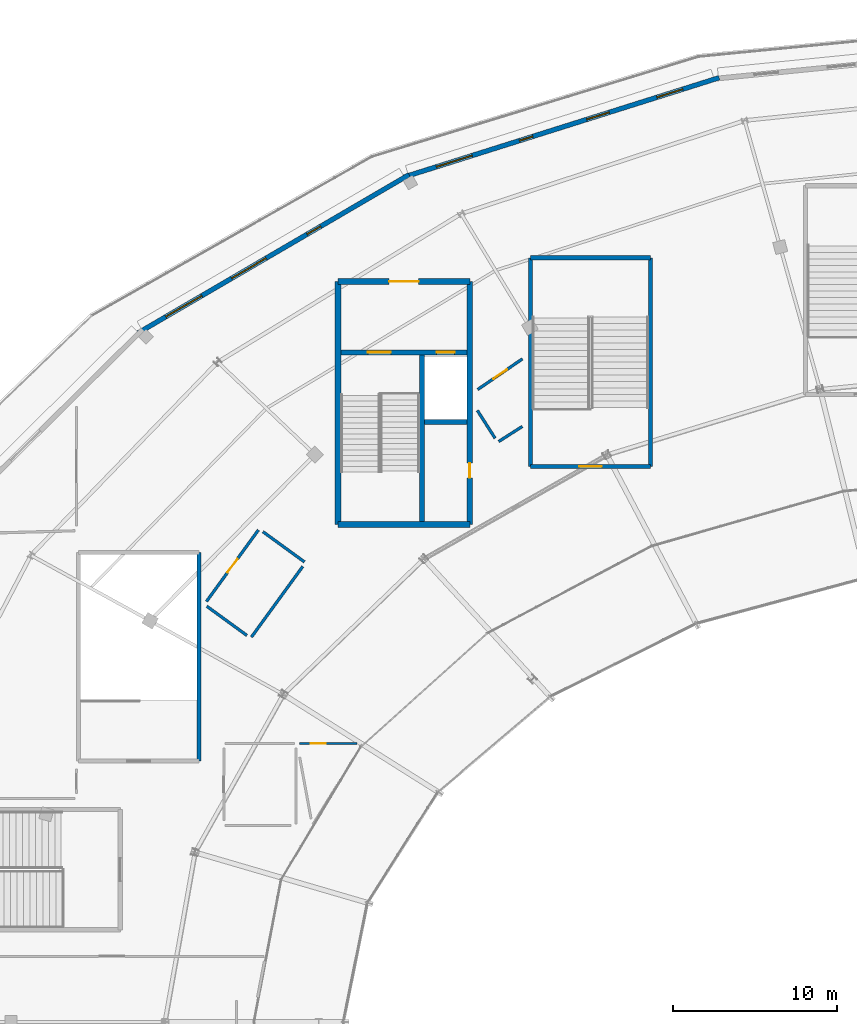
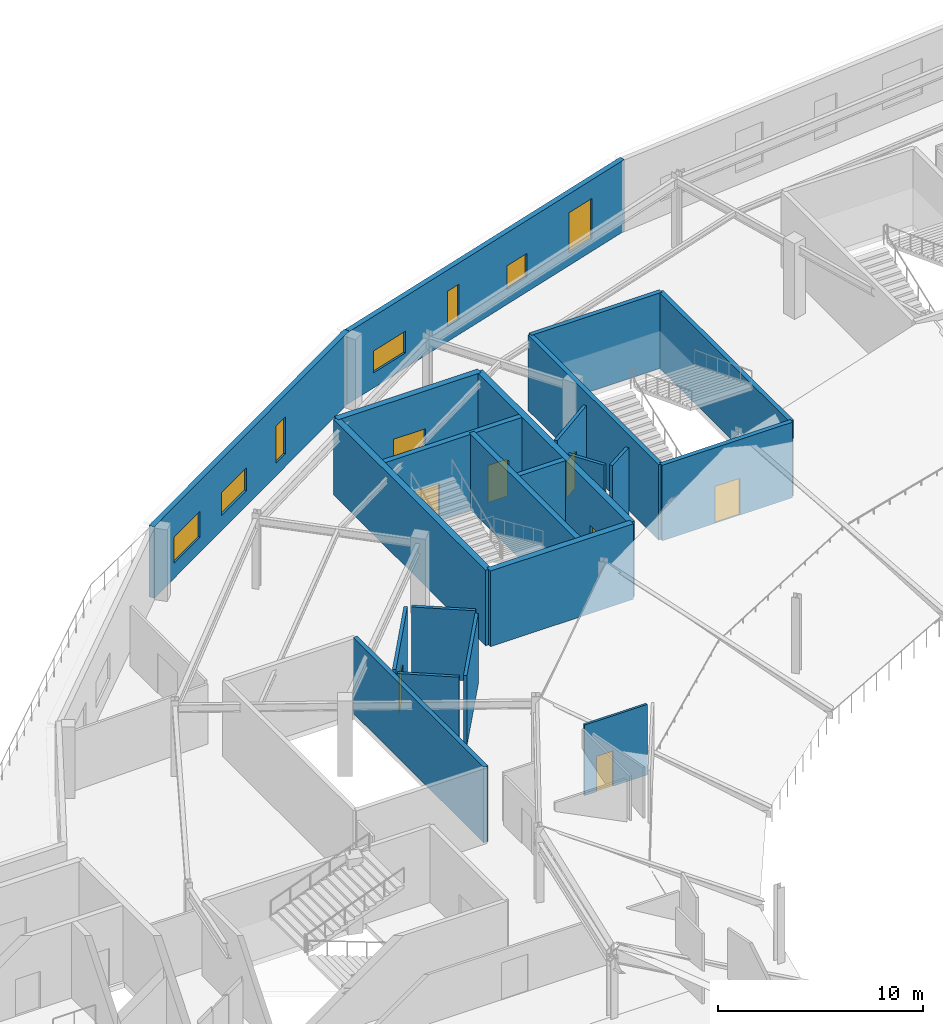
# One storey, part 37 of 63: 22 walls, 8 doors, 7 windows, 15 openings.
"""IFC4 building model written with IfcOpenShell, lengths in metres."""

from ifc_helpers import new_model, si_unit, direction, frame, frame_2d, origin, place, context, subcontext, project, spatial, rectangle, extrude, material, layer, layer_set, type_object, element, fill, save


model = new_model("IFC4")

# Units and contexts
model_context = context("Model", 3, precision=1e-05, world=origin(), true_north=direction((0.0, 1.0)))
body_context = subcontext(model_context, "Body", "Model", "MODEL_VIEW")
ifc_project = project(units=[si_unit("LENGTHUNIT", "METRE"), si_unit("AREAUNIT", "SQUARE_METRE"), si_unit("VOLUMEUNIT", "CUBIC_METRE"), si_unit("PLANEANGLEUNIT", "RADIAN"), si_unit("MASSUNIT", "GRAM", prefix="KILO")], contexts=[model_context])

# Site, building, storey
site_placement = place(None, origin())
site = spatial("IfcSite", under=ifc_project, at=site_placement, CompositionType="ELEMENT")
building_placement = place(site_placement, origin())
building = spatial("IfcBuilding", under=site, at=building_placement, Name="Kalgoora Escarpment Arena", CompositionType="ELEMENT")
storey_placement = place(building_placement, frame((0.0, 0.0, 14.39990234375)))
storey = spatial("IfcBuildingStorey", under=building, at=storey_placement, Name="L03", CompositionType="ELEMENT", Elevation=14.39990234375)

# Wall
ifc_material_1 = material(Name="Concrete N50 (fc' 50 MPa)", Category="concrete")
ifc_layer_1 = layer(ifc_material_1, 0.35009765625)
ifc_layer_set_1 = layer_set([ifc_layer_1], Name="WAL-CORE-350")
wall_type_1 = type_object("IfcWallType", Name="WAL-CORE-350", PredefinedType="SHEAR", material=ifc_layer_set_1)
wall_1_placement = place(storey_placement, frame((48.97509765625, 94.375, 0.0), z_axis=(0.0, 0.0, 1.0), x_axis=(1.0, 0.0, 0.0)))
element("IfcWall", 1, at=wall_1_placement, inside=storey, type_object=wall_type_1, Name="Core C3 L03 south shear wall", PredefinedType="SHEAR", context=body_context, shape_type="SweptSolid", body=[
    extrude(rectangle(XDim=8.0498046875, YDim=0.35009765625, at=frame_2d((4.02490234375, 0.0))), origin(), (0.0, 0.0, 1.0), 4.5),
])

# Wall, opening, door
wall_2_placement = place(storey_placement, frame((48.97509765625, 109.22509765625, 0.0), z_axis=(0.0, 0.0, 1.0), x_axis=(1.0, 0.0, 0.0)))
wall_2 = element("IfcWall", 2, at=wall_2_placement, inside=storey, type_object=wall_type_1, Name="Core C3 L03 north lobby wall", PredefinedType="SHEAR", context=body_context, shape_type="SweptSolid", body=[
    extrude(rectangle(XDim=8.0498046875, YDim=0.35009765625, at=frame_2d((4.02490234375, 0.0))), origin(), (0.0, 0.0, 1.0), 4.5),
])
opening_1_placement = place(wall_2_placement, frame((3.125, 0.0, 0.0)))
opening_1 = element("IfcOpeningElement", 3, at=opening_1_placement, cuts=wall_2, Name="Opening FD-C3L", PredefinedType="OPENING", context=body_context, shape_type="SweptSolid", body=[
    extrude(rectangle(XDim=1.800048828125, YDim=2.25, at=frame_2d((0.89990234375, 1.125))), frame((0.0, 0.18505859375, 0.0), z_axis=(0.0, -1.0, 0.0), x_axis=(1.0, 0.0, 0.0)), (0.0, 0.0, 1.0), 0.3701171875),
])
ifc_material_2 = material(Name="Double fire-rated smoke-seal lobby door")
door_type_1 = type_object("IfcDoorType", Name="DR-LOBBY-1800", OperationType="NOTDEFINED", PredefinedType="DOOR", material=ifc_material_2)
door_1_placement = place(opening_1_placement, origin())
door_1 = element("IfcDoor", 4, at=door_1_placement, inside=storey, type_object=door_type_1, Name="Core C3 L03 smoke-lobby fire door", OperationType="DOUBLE_DOOR_SINGLE_SWING", OverallHeight=2.25, OverallWidth=1.800048828125, PredefinedType="DOOR", context=body_context, shape_type="SweptSolid", body=[
    extrude(rectangle(XDim=1.800048828125, YDim=2.25, at=frame_2d((0.89990234375, 1.125))), frame((0.0, 0.02490234375, 0.0), z_axis=(0.0, -1.0, 0.0), x_axis=(1.0, 0.0, 0.0)), (0.0, 0.0, 1.0), 0.050048828125),
])
fill(opening_1, door_1)

# Wall
wall_3_placement = place(storey_placement, frame((48.97509765625, 94.375, 0.0), z_axis=(0.0, 0.0, 1.0), x_axis=(0.0, 1.0, 0.0)))
element("IfcWall", 5, at=wall_3_placement, inside=storey, type_object=wall_type_1, Name="Core C3 L03 west shear wall", PredefinedType="SHEAR", context=body_context, shape_type="SweptSolid", body=[
    extrude(rectangle(XDim=14.85009765625, YDim=0.35009765625, at=frame_2d((7.425048828125, 0.0))), origin(), (0.0, 0.0, 1.0), 4.5),
])

# Wall, opening, door
wall_4_placement = place(storey_placement, frame((57.02490234375, 94.375, 0.0), z_axis=(0.0, 0.0, 1.0), x_axis=(0.0, 1.0, 0.0)))
wall_4 = element("IfcWall", 6, at=wall_4_placement, inside=storey, type_object=wall_type_1, Name="Core C3 L03 east shear wall", PredefinedType="SHEAR", context=body_context, shape_type="SweptSolid", body=[
    extrude(rectangle(XDim=14.85009765625, YDim=0.35009765625, at=frame_2d((7.425048828125, 0.0))), origin(), (0.0, 0.0, 1.0), 4.5),
])
opening_2_placement = place(wall_4_placement, frame((2.85498046875, 0.0, 0.0)))
opening_2 = element("IfcOpeningElement", 7, at=opening_2_placement, cuts=wall_4, Name="Opening FD-C3R", PredefinedType="OPENING", context=body_context, shape_type="SweptSolid", body=[
    extrude(rectangle(XDim=0.89990234375, YDim=2.10009765625, at=frame_2d((0.449951171875, 1.050048828125))), frame((0.0, 0.18505859375, 0.0), z_axis=(0.0, -1.0, 0.0), x_axis=(1.0, 0.0, 0.0)), (0.0, 0.0, 1.0), 0.3701171875),
])
ifc_material_3 = material(Name="Fire-rated steel riser access door", Category="steel")
door_type_2 = type_object("IfcDoorType", Name="DR-RISER-0900", OperationType="NOTDEFINED", PredefinedType="DOOR", material=ifc_material_3)
door_2_placement = place(opening_2_placement, origin())
door_2 = element("IfcDoor", 8, at=door_2_placement, inside=storey, type_object=door_type_2, Name="Core C3 L03 riser cupboard access door", OperationType="SINGLE_SWING_RIGHT", OverallHeight=2.10009765625, OverallWidth=0.89990234375, PredefinedType="DOOR", context=body_context, shape_type="SweptSolid", body=[
    extrude(rectangle(XDim=0.89990234375, YDim=2.10009765625, at=frame_2d((0.449951171875, 1.050048828125))), frame((0.0, 0.02490234375, 0.0), z_axis=(0.0, -1.0, 0.0), x_axis=(1.0, 0.0, 0.0)), (0.0, 0.0, 1.0), 0.050048828125),
])
fill(opening_2, door_2)

# Wall, openings, windows
ifc_material_4 = material(Name="Upper concourse insulated spandrel wall 40 MPa", Category="concrete")
ifc_layer_2 = layer(ifc_material_4, 0.2900390625)
ifc_layer_set_2 = layer_set([ifc_layer_2], Name="WAL-EXT-290")
wall_type_2 = type_object("IfcWallType", Name="WAL-EXT-290", PredefinedType="SOLIDWALL", material=ifc_layer_set_2)
wall_5_placement = place(storey_placement, frame((36.749267578125, 106.074951171875, 0.0), z_axis=(0.0, 0.0, 1.0), x_axis=(0.863607623942, 0.504164528572, 0.0)))
wall_5 = element("IfcWall", 9, at=wall_5_placement, inside=storey, type_object=wall_type_2, Name="L03 limestone-faced external wall 057", PredefinedType="SOLIDWALL", context=body_context, shape_type="SweptSolid", body=[
    extrude(rectangle(XDim=19.185791015625, YDim=0.2900390625, at=frame_2d((9.5927734375, 0.0))), origin(), (0.0, 0.0, 1.0), 4.260009765625),
])
opening_3_placement = place(wall_5_placement, frame((1.97509765625, 0.0, 0.89990234375)))
opening_3 = element("IfcOpeningElement", 10, at=opening_3_placement, cuts=wall_5, Name="Opening W-13", PredefinedType="OPENING", context=body_context, shape_type="SweptSolid", body=[
    extrude(rectangle(XDim=2.550048828125, YDim=1.550048828125, at=frame_2d((1.27490234375, 0.77490234375))), frame((0.0, 0.155029296875, 0.0), z_axis=(0.0, -1.0, 0.0), x_axis=(1.0, 0.0, 0.0)), (0.0, 0.0, 1.0), 0.31005859375),
])
opening_4_placement = place(wall_5_placement, frame((6.625, 0.0, 0.89990234375)))
opening_4 = element("IfcOpeningElement", 11, at=opening_4_placement, cuts=wall_5, Name="Opening W-15", PredefinedType="OPENING", context=body_context, shape_type="SweptSolid", body=[
    extrude(rectangle(XDim=2.449951171875, YDim=1.35009765625, at=frame_2d((1.22509765625, 0.675048828125))), frame((0.0, 0.155029296875, 0.0), z_axis=(0.0, -1.0, 0.0), x_axis=(1.0, 0.0, 0.0)), (0.0, 0.0, 1.0), 0.31005859375),
])
opening_5_placement = place(wall_5_placement, frame((11.97509765625, 0.0, 0.75)))
opening_5 = element("IfcOpeningElement", 12, at=opening_5_placement, cuts=wall_5, Name="Opening W-17", PredefinedType="OPENING", context=body_context, shape_type="SweptSolid", body=[
    extrude(rectangle(XDim=0.949951171875, YDim=2.199951171875, at=frame_2d((0.47509765625, 1.10009765625))), frame((0.0, 0.155029296875, 0.0), z_axis=(0.0, -1.0, 0.0), x_axis=(1.0, 0.0, 0.0)), (0.0, 0.0, 1.0), 0.31005859375),
])
ifc_material_5 = material(Name="Low-E solar-control double glazing in champagne frame", Category="glass")
window_type_1 = type_object("IfcWindowType", Name="WIN-BAND-2550x1550", PartitioningType="SINGLE_PANEL", PredefinedType="WINDOW", material=ifc_material_5)
window_1_placement = place(opening_3_placement, origin())
window_1 = element("IfcWindow", 13, at=window_1_placement, inside=storey, type_object=window_type_1, Name="L03 scheduled facade window 073", OverallHeight=1.550048828125, OverallWidth=2.550048828125, PartitioningType="SINGLE_PANEL", PredefinedType="WINDOW", context=body_context, shape_type="SweptSolid", body=[
    extrude(rectangle(XDim=2.550048828125, YDim=1.550048828125, at=frame_2d((1.27490234375, 0.77490234375))), frame((0.0, 0.030029296875, 0.0), z_axis=(0.0, -1.0, 0.0), x_axis=(1.0, 0.0, 0.0)), (0.0, 0.0, 1.0), 0.06005859375),
])
fill(opening_3, window_1)
ifc_material_6 = material(Name="Low-E solar-control double glazing in champagne frame", Category="glass")
window_type_2 = type_object("IfcWindowType", Name="WIN-CLER-2450x1350", PartitioningType="SINGLE_PANEL", PredefinedType="WINDOW", material=ifc_material_6)
window_2_placement = place(opening_4_placement, origin())
window_2 = element("IfcWindow", 14, at=window_2_placement, inside=storey, type_object=window_type_2, Name="L03 scheduled facade window 074", OverallHeight=1.35009765625, OverallWidth=2.449951171875, PartitioningType="SINGLE_PANEL", PredefinedType="WINDOW", context=body_context, shape_type="SweptSolid", body=[
    extrude(rectangle(XDim=2.449951171875, YDim=1.35009765625, at=frame_2d((1.22509765625, 0.675048828125))), frame((0.0, 0.030029296875, 0.0), z_axis=(0.0, -1.0, 0.0), x_axis=(1.0, 0.0, 0.0)), (0.0, 0.0, 1.0), 0.06005859375),
])
fill(opening_4, window_2)
ifc_material_7 = material(Name="Low-E solar-control double glazing in champagne frame", Category="glass")
window_type_3 = type_object("IfcWindowType", Name="WIN-SLOT-0950x2200", PartitioningType="SINGLE_PANEL", PredefinedType="WINDOW", material=ifc_material_7)
window_3_placement = place(opening_5_placement, origin())
window_3 = element("IfcWindow", 15, at=window_3_placement, inside=storey, type_object=window_type_3, Name="L03 scheduled facade window 075", OverallHeight=2.199951171875, OverallWidth=0.949951171875, PartitioningType="SINGLE_PANEL", PredefinedType="WINDOW", context=body_context, shape_type="SweptSolid", body=[
    extrude(rectangle(XDim=0.949951171875, YDim=2.199951171875, at=frame_2d((0.47509765625, 1.10009765625))), frame((0.0, 0.030029296875, 0.0), z_axis=(0.0, -1.0, 0.0), x_axis=(1.0, 0.0, 0.0)), (0.0, 0.0, 1.0), 0.06005859375),
])
fill(opening_5, window_3)

wall_6_placement = place(storey_placement, frame((52.983154296875, 115.599365234375, 0.0), z_axis=(0.0, 0.0, 1.0), x_axis=(0.953756113153, 0.30058156401, 0.0)))
wall_6 = element("IfcWall", 16, at=wall_6_placement, inside=storey, type_object=wall_type_2, Name="L03 limestone-faced external wall 058", PredefinedType="SOLIDWALL", context=body_context, shape_type="SweptSolid", body=[
    extrude(rectangle(XDim=20.21240234375, YDim=0.2900390625, at=frame_2d((10.106201171875, 0.0))), origin(), (0.0, 0.0, 1.0), 4.260009765625),
])
opening_6_placement = place(wall_6_placement, frame((2.10009765625, 0.0, 0.89990234375)))
opening_6 = element("IfcOpeningElement", 17, at=opening_6_placement, cuts=wall_6, Name="Opening W-16", PredefinedType="OPENING", context=body_context, shape_type="SweptSolid", body=[
    extrude(rectangle(XDim=2.300048828125, YDim=1.300048828125, at=frame_2d((1.14990234375, 0.64990234375))), frame((0.0, 0.155029296875, 0.0), z_axis=(0.0, -1.0, 0.0), x_axis=(1.0, 0.0, 0.0)), (0.0, 0.0, 1.0), 0.31005859375),
])
opening_7_placement = place(wall_6_placement, frame((7.425048828125, 0.0, 0.89990234375)))
opening_7 = element("IfcOpeningElement", 18, at=opening_7_placement, cuts=wall_6, Name="Opening W-18", PredefinedType="OPENING", context=body_context, shape_type="SweptSolid", body=[
    extrude(rectangle(XDim=0.85009765625, YDim=2.10009765625, at=frame_2d((0.425048828125, 1.050048828125))), frame((0.0, 0.155029296875, 0.0), z_axis=(0.0, -1.0, 0.0), x_axis=(1.0, 0.0, 0.0)), (0.0, 0.0, 1.0), 0.31005859375),
])
opening_8_placement = place(wall_6_placement, frame((11.72509765625, 0.0, 0.89990234375)))
opening_8 = element("IfcOpeningElement", 19, at=opening_8_placement, cuts=wall_6, Name="Opening W-20", PredefinedType="OPENING", context=body_context, shape_type="SweptSolid", body=[
    extrude(rectangle(XDim=1.449951171875, YDim=1.39990234375, at=frame_2d((0.72509765625, 0.699951171875))), frame((0.0, 0.155029296875, 0.0), z_axis=(0.0, -1.0, 0.0), x_axis=(1.0, 0.0, 0.0)), (0.0, 0.0, 1.0), 0.31005859375),
])
opening_9_placement = place(wall_6_placement, frame((16.22509765625, 0.0, 0.75)))
opening_9 = element("IfcOpeningElement", 20, at=opening_9_placement, cuts=wall_6, Name="Opening W-02", PredefinedType="OPENING", context=body_context, shape_type="SweptSolid", body=[
    extrude(rectangle(XDim=1.64990234375, YDim=2.39990234375, at=frame_2d((0.824951171875, 1.199951171875))), frame((0.0, 0.155029296875, 0.0), z_axis=(0.0, -1.0, 0.0), x_axis=(1.0, 0.0, 0.0)), (0.0, 0.0, 1.0), 0.31005859375),
])
ifc_material_8 = material(Name="Low-E solar-control double glazing in champagne frame", Category="glass")
window_type_4 = type_object("IfcWindowType", Name="WIN-BOH-1450x1400", PartitioningType="SINGLE_PANEL", PredefinedType="WINDOW", material=ifc_material_8)
window_4_placement = place(opening_8_placement, origin())
window_4 = element("IfcWindow", 21, at=window_4_placement, inside=storey, type_object=window_type_4, Name="L03 scheduled facade window 078", OverallHeight=1.39990234375, OverallWidth=1.449951171875, PartitioningType="SINGLE_PANEL", PredefinedType="WINDOW", context=body_context, shape_type="SweptSolid", body=[
    extrude(rectangle(XDim=1.449951171875, YDim=1.39990234375, at=frame_2d((0.72509765625, 0.699951171875))), frame((0.0, 0.030029296875, 0.0), z_axis=(0.0, -1.0, 0.0), x_axis=(1.0, 0.0, 0.0)), (0.0, 0.0, 1.0), 0.06005859375),
])
fill(opening_8, window_4)
ifc_material_9 = material(Name="Low-E solar-control double glazing in champagne frame", Category="glass")
window_type_5 = type_object("IfcWindowType", Name="WIN-CLER-2300x1300", PartitioningType="SINGLE_PANEL", PredefinedType="WINDOW", material=ifc_material_9)
window_5_placement = place(opening_6_placement, origin())
window_5 = element("IfcWindow", 22, at=window_5_placement, inside=storey, type_object=window_type_5, Name="L03 scheduled facade window 076", OverallHeight=1.300048828125, OverallWidth=2.300048828125, PartitioningType="SINGLE_PANEL", PredefinedType="WINDOW", context=body_context, shape_type="SweptSolid", body=[
    extrude(rectangle(XDim=2.300048828125, YDim=1.300048828125, at=frame_2d((1.14990234375, 0.64990234375))), frame((0.0, 0.030029296875, 0.0), z_axis=(0.0, -1.0, 0.0), x_axis=(1.0, 0.0, 0.0)), (0.0, 0.0, 1.0), 0.06005859375),
])
fill(opening_6, window_5)
ifc_material_10 = material(Name="Low-E solar-control double glazing in champagne frame", Category="glass")
window_type_6 = type_object("IfcWindowType", Name="WIN-DECO-1650x2400", PartitioningType="SINGLE_PANEL", PredefinedType="WINDOW", material=ifc_material_10)
window_6_placement = place(opening_9_placement, origin())
window_6 = element("IfcWindow", 23, at=window_6_placement, inside=storey, type_object=window_type_6, Name="L03 scheduled facade window 079", OverallHeight=2.39990234375, OverallWidth=1.64990234375, PartitioningType="SINGLE_PANEL", PredefinedType="WINDOW", context=body_context, shape_type="SweptSolid", body=[
    extrude(rectangle(XDim=1.64990234375, YDim=2.39990234375, at=frame_2d((0.824951171875, 1.199951171875))), frame((0.0, 0.030029296875, 0.0), z_axis=(0.0, -1.0, 0.0), x_axis=(1.0, 0.0, 0.0)), (0.0, 0.0, 1.0), 0.06005859375),
])
fill(opening_9, window_6)
ifc_material_11 = material(Name="Low-E solar-control double glazing in champagne frame", Category="glass")
window_type_7 = type_object("IfcWindowType", Name="WIN-SLOT-0850x2100", PartitioningType="SINGLE_PANEL", PredefinedType="WINDOW", material=ifc_material_11)
window_7_placement = place(opening_7_placement, origin())
window_7 = element("IfcWindow", 24, at=window_7_placement, inside=storey, type_object=window_type_7, Name="L03 scheduled facade window 077", OverallHeight=2.10009765625, OverallWidth=0.85009765625, PartitioningType="SINGLE_PANEL", PredefinedType="WINDOW", context=body_context, shape_type="SweptSolid", body=[
    extrude(rectangle(XDim=0.85009765625, YDim=2.10009765625, at=frame_2d((0.425048828125, 1.050048828125))), frame((0.0, 0.030029296875, 0.0), z_axis=(0.0, -1.0, 0.0), x_axis=(1.0, 0.0, 0.0)), (0.0, 0.0, 1.0), 0.06005859375),
])
fill(opening_7, window_7)

# Wall, openings, doors
ifc_material_12 = material(Name="Concrete N50 (fc' 50 MPa)", Category="concrete")
ifc_layer_3 = layer(ifc_material_12, 0.300048828125)
ifc_layer_set_3 = layer_set([ifc_layer_3], Name="WAL-SHAFT-300")
wall_type_3 = type_object("IfcWallType", Name="WAL-SHAFT-300", PredefinedType="SHEAR", material=ifc_layer_set_3)
wall_7_placement = place(storey_placement, frame((49.14990234375, 104.89990234375, 0.0), z_axis=(0.0, 0.0, 1.0), x_axis=(1.0, 0.0, 0.0)))
wall_7 = element("IfcWall", 25, at=wall_7_placement, inside=storey, type_object=wall_type_3, Name="Core C3 L03 lobby shaft wall", PredefinedType="SHEAR", context=body_context, shape_type="SweptSolid", body=[
    extrude(rectangle(XDim=7.7001953125, YDim=0.300048828125, at=frame_2d((3.85009765625, 0.0))), origin(), (0.0, 0.0, 1.0), 4.5),
])
opening_10_placement = place(wall_7_placement, frame((1.64990234375, 0.0, 0.0)))
opening_10 = element("IfcOpeningElement", 26, at=opening_10_placement, cuts=wall_7, Name="Opening FD-ST03", PredefinedType="OPENING", context=body_context, shape_type="SweptSolid", body=[
    extrude(rectangle(XDim=1.39990234375, YDim=2.199951171875, at=frame_2d((0.699951171875, 1.10009765625))), frame((0.0, 0.159912109375, 0.0), z_axis=(0.0, -1.0, 0.0), x_axis=(1.0, 0.0, 0.0)), (0.0, 0.0, 1.0), 0.320068359375),
])
opening_11_placement = place(wall_7_placement, frame((5.85009765625, 0.0, 0.0)))
opening_11 = element("IfcOpeningElement", 27, at=opening_11_placement, cuts=wall_7, Name="Opening LD-PL1", PredefinedType="OPENING", context=body_context, shape_type="SweptSolid", body=[
    extrude(rectangle(XDim=1.10009765625, YDim=2.199951171875, at=frame_2d((0.550048828125, 1.10009765625))), frame((0.0, 0.159912109375, 0.0), z_axis=(0.0, -1.0, 0.0), x_axis=(1.0, 0.0, 0.0)), (0.0, 0.0, 1.0), 0.320068359375),
])
ifc_material_13 = material(Name="Brushed stainless steel sliding lift landing door", Category="steel")
door_type_3 = type_object("IfcDoorType", Name="DR-LD-PL1", OperationType="SLIDING_TO_LEFT", PredefinedType="DOOR", material=ifc_material_13)
door_3_placement = place(opening_11_placement, origin())
door_3 = element("IfcDoor", 28, at=door_3_placement, inside=storey, type_object=door_type_3, Name="Lift PL1 L03 sliding landing door", OperationType="SLIDING_TO_LEFT", OverallHeight=2.199951171875, OverallWidth=1.10009765625, PredefinedType="DOOR", context=body_context, shape_type="SweptSolid", body=[
    extrude(rectangle(XDim=1.10009765625, YDim=2.199951171875, at=frame_2d((0.550048828125, 1.10009765625))), frame((0.0, 0.02490234375, 0.0), z_axis=(0.0, -1.0, 0.0), x_axis=(1.0, 0.0, 0.0)), (0.0, 0.0, 1.0), 0.050048828125),
])
fill(opening_11, door_3)
ifc_material_14 = material(Name="Fire-rated steel stair leaf with vision panel", Category="steel")
door_type_4 = type_object("IfcDoorType", Name="DR-STAIR-1400", OperationType="NOTDEFINED", PredefinedType="DOOR", material=ifc_material_14)
door_4_placement = place(opening_10_placement, origin())
door_4 = element("IfcDoor", 29, at=door_4_placement, inside=storey, type_object=door_type_4, Name="Fire stair ST03 L03 fire door", OperationType="SINGLE_SWING_LEFT", OverallHeight=2.199951171875, OverallWidth=1.39990234375, PredefinedType="DOOR", context=body_context, shape_type="SweptSolid", body=[
    extrude(rectangle(XDim=1.39990234375, YDim=2.199951171875, at=frame_2d((0.699951171875, 1.10009765625))), frame((0.0, 0.02490234375, 0.0), z_axis=(0.0, -1.0, 0.0), x_axis=(1.0, 0.0, 0.0)), (0.0, 0.0, 1.0), 0.050048828125),
])
fill(opening_10, door_4)

# Walls
wall_8_placement = place(storey_placement, frame((54.10009765625, 94.550048828125, 0.0), z_axis=(0.0, 0.0, 1.0), x_axis=(0.0, 1.0, 0.0)))
element("IfcWall", 30, at=wall_8_placement, inside=storey, type_object=wall_type_3, Name="Core C3 L03 stair-lift spine wall", PredefinedType="SHEAR", context=body_context, shape_type="SweptSolid", body=[
    extrude(rectangle(XDim=10.349853515625, YDim=0.300048828125, at=frame_2d((5.1748046875, 0.0))), origin(), (0.0, 0.0, 1.0), 4.5),
])
wall_9_placement = place(storey_placement, frame((54.25, 100.64990234375, 0.0), z_axis=(0.0, 0.0, 1.0), x_axis=(1.0, 0.0, 0.0)))
element("IfcWall", 31, at=wall_9_placement, inside=storey, type_object=wall_type_3, Name="Core C3 L03 lift-riser divider wall", PredefinedType="SHEAR", context=body_context, shape_type="SweptSolid", body=[
    extrude(rectangle(XDim=2.60009765625, YDim=0.300048828125, at=frame_2d((1.300048828125, 0.0))), origin(), (0.0, 0.0, 1.0), 4.5),
])

# Wall, opening, door
ifc_material_15 = material(Name="Concrete N50 (fc' 50 MPa)", Category="concrete")
ifc_layer_4 = layer(ifc_material_15, 0.25)
ifc_layer_set_4 = layer_set([ifc_layer_4], Name="WAL-STAIR-250")
wall_type_4 = type_object("IfcWallType", Name="WAL-STAIR-250", PredefinedType="SHEAR", material=ifc_layer_set_4)
wall_10_placement = place(storey_placement, frame((60.72509765625, 97.925048828125, 0.0), z_axis=(0.0, 0.0, 1.0), x_axis=(1.0, 0.0, 0.0)))
wall_10 = element("IfcWall", 32, at=wall_10_placement, inside=storey, type_object=wall_type_4, Name="Exit stair ST09 L03 south wall", PredefinedType="SHEAR", context=body_context, shape_type="SweptSolid", body=[
    extrude(rectangle(XDim=7.349853515625, YDim=0.25, at=frame_2d((3.6748046875, 0.0))), origin(), (0.0, 0.0, 1.0), 4.5),
])
opening_12_placement = place(wall_10_placement, frame((2.97509765625, 0.0, 0.0)))
opening_12 = element("IfcOpeningElement", 33, at=opening_12_placement, cuts=wall_10, Name="Opening FD-ST09", PredefinedType="OPENING", context=body_context, shape_type="SweptSolid", body=[
    extrude(rectangle(XDim=1.39990234375, YDim=2.199951171875, at=frame_2d((0.699951171875, 1.10009765625))), frame((0.0, 0.135009765625, 0.0), z_axis=(0.0, -1.0, 0.0), x_axis=(1.0, 0.0, 0.0)), (0.0, 0.0, 1.0), 0.27001953125),
])
door_5_placement = place(opening_12_placement, origin())
door_5 = element("IfcDoor", 34, at=door_5_placement, inside=storey, type_object=door_type_4, Name="Fire-isolated stair ST09 L03 egress door", OperationType="SINGLE_SWING_RIGHT", OverallHeight=2.199951171875, OverallWidth=1.39990234375, PredefinedType="DOOR", context=body_context, shape_type="SweptSolid", body=[
    extrude(rectangle(XDim=1.39990234375, YDim=2.199951171875, at=frame_2d((0.699951171875, 1.10009765625))), frame((0.0, 0.02490234375, 0.0), z_axis=(0.0, -1.0, 0.0), x_axis=(1.0, 0.0, 0.0)), (0.0, 0.0, 1.0), 0.050048828125),
])
fill(opening_12, door_5)

# Walls
wall_11_placement = place(storey_placement, frame((60.72509765625, 110.675048828125, 0.0), z_axis=(0.0, 0.0, 1.0), x_axis=(1.0, 0.0, 0.0)))
element("IfcWall", 35, at=wall_11_placement, inside=storey, type_object=wall_type_4, Name="Exit stair ST09 L03 north wall", PredefinedType="SHEAR", context=body_context, shape_type="SweptSolid", body=[
    extrude(rectangle(XDim=7.349853515625, YDim=0.25, at=frame_2d((3.6748046875, 0.0))), origin(), (0.0, 0.0, 1.0), 4.5),
])
for number, where, z_axis, x_axis, name in (
    (36, (60.72509765625, 97.925048828125, 0.0), (0.0, 0.0, 1.0), (0.0, 1.0, 0.0), "Exit stair ST09 L03 west wall"),
    (37, (68.074951171875, 97.925048828125, 0.0), (0.0, 0.0, 1.0), (0.0, 1.0, 0.0), "Exit stair ST09 L03 east wall"),
    (38, (40.47509765625, 79.925048828125, 0.0), (0.0, 0.0, 1.0), (0.0, 1.0, 0.0), "Exit stair ST19 L03 east wall"),
):
    element("IfcWall", number, at=place(storey_placement, frame(where, z_axis=z_axis, x_axis=x_axis)), inside=storey, type_object=wall_type_4, Name=name, PredefinedType="SHEAR", context=body_context, shape_type="SweptSolid", body=[
        extrude(rectangle(XDim=12.75, YDim=0.25, at=frame_2d((6.375, 0.0))), origin(), (0.0, 0.0, 1.0), 4.5),
    ])

# Wall, opening, door
ifc_material_16 = material(Name="Twin-stud acoustic plasterboard FRL -/60/60", Category="gypsum")
ifc_layer_5 = layer(ifc_material_16, 0.175048828125)
ifc_layer_set_5 = layer_set([ifc_layer_5], Name="WAL-SUITE-175")
wall_type_5 = type_object("IfcWallType", Name="WAL-SUITE-175", PredefinedType="PARTITIONING", material=ifc_layer_set_5)
wall_12_placement = place(storey_placement, frame((57.510986328125, 102.626220703125, 0.0), z_axis=(0.0, 0.0, 1.0), x_axis=(0.82466590382, 0.565620143805, 0.0)))
wall_12 = element("IfcWall", 39, at=wall_12_placement, inside=storey, type_object=wall_type_5, Name="L03 Hospitality Suite HS28 partition wall", PredefinedType="PARTITIONING", context=body_context, shape_type="SweptSolid", body=[
    extrude(rectangle(XDim=3.30810546875, YDim=0.175048828125, at=frame_2d((1.654052734375, 0.0))), origin(), (0.0, 0.0, 1.0), 4.190185546875),
])
opening_13_placement = place(wall_12_placement, frame((1.154052734375, 0.0, 0.0)))
opening_13 = element("IfcOpeningElement", 40, at=opening_13_placement, cuts=wall_12, Name="Opening FD-I111", PredefinedType="OPENING", context=body_context, shape_type="SweptSolid", body=[
    extrude(rectangle(XDim=1.0, YDim=2.199951171875, at=frame_2d((0.5, 1.10009765625))), frame((0.0, 0.097412109375, 0.0), z_axis=(0.0, -1.0, 0.0), x_axis=(1.0, 0.0, 0.0)), (0.0, 0.0, 1.0), 0.195068359375),
])
ifc_material_17 = material(Name="Veneered timber acoustic suite entrance door", Category="wood")
door_type_5 = type_object("IfcDoorType", Name="DR-SUITE-1000", OperationType="NOTDEFINED", PredefinedType="DOOR", material=ifc_material_17)
door_6_placement = place(opening_13_placement, origin())
door_6 = element("IfcDoor", 41, at=door_6_placement, inside=storey, type_object=door_type_5, Name="Hospitality Suite HS28 entrance door", OperationType="SINGLE_SWING_LEFT", OverallHeight=2.199951171875, OverallWidth=1.0, PredefinedType="DOOR", context=body_context, shape_type="SweptSolid", body=[
    extrude(rectangle(XDim=1.0, YDim=2.199951171875, at=frame_2d((0.5, 1.10009765625))), frame((0.0, 0.02490234375, 0.0), z_axis=(0.0, -1.0, 0.0), x_axis=(1.0, 0.0, 0.0)), (0.0, 0.0, 1.0), 0.050048828125),
])
fill(opening_13, door_6)

# Walls
wall_13_placement = place(storey_placement, frame((60.237548828125, 100.37255859375, 0.0), z_axis=(0.0, 0.0, 1.0), x_axis=(-0.843362039347, -0.537345764465, 0.0)))
element("IfcWall", 42, at=wall_13_placement, inside=storey, type_object=wall_type_5, Name="L03 Hospitality Suite HS28 partition wall", PredefinedType="PARTITIONING", context=body_context, shape_type="SweptSolid", body=[
    extrude(rectangle(XDim=1.712890625, YDim=0.175048828125, at=frame_2d((0.8564453125, 0.0))), origin(), (0.0, 0.0, 1.0), 4.190185546875),
])
wall_14_placement = place(storey_placement, frame((58.572509765625, 99.6494140625, 0.0), z_axis=(0.0, 0.0, 1.0), x_axis=(-0.537274578012, 0.843407391373, 0.0)))
element("IfcWall", 43, at=wall_14_placement, inside=storey, type_object=wall_type_5, Name="L03 Hospitality Suite HS28 partition wall", PredefinedType="PARTITIONING", context=body_context, shape_type="SweptSolid", body=[
    extrude(rectangle(XDim=2.0185546875, YDim=0.175048828125, at=frame_2d((1.00927734375, 0.0))), origin(), (0.0, 0.0, 1.0), 4.190185546875),
])

# Wall, opening, door
wall_15_placement = place(storey_placement, frame((40.94189453125, 89.680419921875, 0.0), z_axis=(0.0, 0.0, 1.0), x_axis=(0.587805549797, 0.809002246986, 0.0)))
wall_15 = element("IfcWall", 44, at=wall_15_placement, inside=storey, type_object=wall_type_5, Name="L03 Hospitality Suite HS29 partition wall", PredefinedType="PARTITIONING", context=body_context, shape_type="SweptSolid", body=[
    extrude(rectangle(XDim=5.392822265625, YDim=0.175048828125, at=frame_2d((2.6962890625, 0.0))), origin(), (0.0, 0.0, 1.0), 4.190185546875),
])
opening_14_placement = place(wall_15_placement, frame((2.17138671875, 0.0, 0.0)))
opening_14 = element("IfcOpeningElement", 45, at=opening_14_placement, cuts=wall_15, Name="Opening FD-I112", PredefinedType="OPENING", context=body_context, shape_type="SweptSolid", body=[
    extrude(rectangle(XDim=1.050048828125, YDim=2.25, at=frame_2d((0.52490234375, 1.125))), frame((0.0, 0.097412109375, 0.0), z_axis=(0.0, -1.0, 0.0), x_axis=(1.0, 0.0, 0.0)), (0.0, 0.0, 1.0), 0.195068359375),
])
ifc_material_18 = material(Name="Veneered timber acoustic suite entrance door", Category="wood")
door_type_6 = type_object("IfcDoorType", Name="DR-SUITE-1050", OperationType="NOTDEFINED", PredefinedType="DOOR", material=ifc_material_18)
door_7_placement = place(opening_14_placement, origin())
door_7 = element("IfcDoor", 46, at=door_7_placement, inside=storey, type_object=door_type_6, Name="Hospitality Suite HS29 entrance door", OperationType="SINGLE_SWING_RIGHT", OverallHeight=2.25, OverallWidth=1.050048828125, PredefinedType="DOOR", context=body_context, shape_type="SweptSolid", body=[
    extrude(rectangle(XDim=1.050048828125, YDim=2.25, at=frame_2d((0.52490234375, 1.125))), frame((0.0, 0.02490234375, 0.0), z_axis=(0.0, -1.0, 0.0), x_axis=(1.0, 0.0, 0.0)), (0.0, 0.0, 1.0), 0.050048828125),
])
fill(opening_14, door_7)

# Walls
wall_16_placement = place(storey_placement, frame((44.38916015625, 93.9404296875, 0.0), z_axis=(0.0, 0.0, 1.0), x_axis=(0.809045759439, -0.587745658541, 0.0)))
element("IfcWall", 47, at=wall_16_placement, inside=storey, type_object=wall_type_5, Name="L03 Hospitality Suite HS29 partition wall", PredefinedType="PARTITIONING", context=body_context, shape_type="SweptSolid", body=[
    extrude(rectangle(XDim=3.13525390625, YDim=0.175048828125, at=frame_2d((1.567626953125, 0.0))), origin(), (0.0, 0.0, 1.0), 4.190185546875),
])
wall_17_placement = place(storey_placement, frame((46.822998046875, 91.8203125, 0.0), z_axis=(0.0, 0.0, 1.0), x_axis=(-0.587777109059, -0.809022910718, 0.0)))
element("IfcWall", 48, at=wall_17_placement, inside=storey, type_object=wall_type_5, Name="L03 Hospitality Suite HS29 partition wall", PredefinedType="PARTITIONING", context=body_context, shape_type="SweptSolid", body=[
    extrude(rectangle(XDim=5.33544921875, YDim=0.175048828125, at=frame_2d((2.667724609375, 0.0))), origin(), (0.0, 0.0, 1.0), 4.190185546875),
])
wall_18_placement = place(storey_placement, frame((43.40966796875, 87.606689453125, 0.0), z_axis=(0.0, 0.0, 1.0), x_axis=(-0.809011407489, 0.587792941904, 0.0)))
element("IfcWall", 49, at=wall_18_placement, inside=storey, type_object=wall_type_5, Name="L03 Hospitality Suite HS29 partition wall", PredefinedType="PARTITIONING", context=body_context, shape_type="SweptSolid", body=[
    extrude(rectangle(XDim=3.0283203125, YDim=0.175048828125, at=frame_2d((1.51416015625, 0.0))), origin(), (0.0, 0.0, 1.0), 4.190185546875),
])

# Wall, opening, door
ifc_material_19 = material(Name="Moisture-resistant wet-area partition", Category="gypsum")
ifc_layer_6 = layer(ifc_material_19, 0.125)
ifc_layer_set_6 = layer_set([ifc_layer_6], Name="WAL-WC-125")
wall_type_6 = type_object("IfcWallType", Name="WAL-WC-125", PredefinedType="PARTITIONING", material=ifc_layer_set_6)
wall_19_placement = place(storey_placement, frame((46.6201171875, 81.0, 0.0), z_axis=(0.0, 0.0, 1.0), x_axis=(1.0, 0.0, 0.0)))
wall_19 = element("IfcWall", 50, at=wall_19_placement, inside=storey, type_object=wall_type_6, Name="L03 Female WC 1 partition wall", PredefinedType="PARTITIONING", context=body_context, shape_type="SweptSolid", body=[
    extrude(rectangle(XDim=3.5302734375, YDim=0.125, at=frame_2d((1.76513671875, 0.0))), origin(), (0.0, 0.0, 1.0), 4.2001953125),
])
opening_15_placement = place(wall_19_placement, frame((0.6787109375, 0.0, 0.0)))
opening_15 = element("IfcOpeningElement", 51, at=opening_15_placement, cuts=wall_19, Name="Opening D-I107", PredefinedType="OPENING", context=body_context, shape_type="SweptSolid", body=[
    extrude(rectangle(XDim=0.919921875, YDim=2.10009765625, at=frame_2d((0.4599609375, 1.050048828125))), frame((0.0, 0.072509765625, 0.0), z_axis=(0.0, -1.0, 0.0), x_axis=(1.0, 0.0, 0.0)), (0.0, 0.0, 1.0), 0.14501953125),
])
ifc_material_20 = material(Name="Moisture-resistant laminate WC door")
door_type_7 = type_object("IfcDoorType", Name="DR-WC-0920", OperationType="NOTDEFINED", PredefinedType="DOOR", material=ifc_material_20)
door_8_placement = place(opening_15_placement, origin())
door_8 = element("IfcDoor", 52, at=door_8_placement, inside=storey, type_object=door_type_7, Name="Female WC 1 entrance door", OperationType="SINGLE_SWING_LEFT", OverallHeight=2.10009765625, OverallWidth=0.919921875, PredefinedType="DOOR", context=body_context, shape_type="SweptSolid", body=[
    extrude(rectangle(XDim=0.919921875, YDim=2.10009765625, at=frame_2d((0.4599609375, 1.050048828125))), frame((0.0, 0.02490234375, 0.0), z_axis=(0.0, -1.0, 0.0), x_axis=(1.0, 0.0, 0.0)), (0.0, 0.0, 1.0), 0.050048828125),
])
fill(opening_15, door_8)

save(model, "model.ifc")
